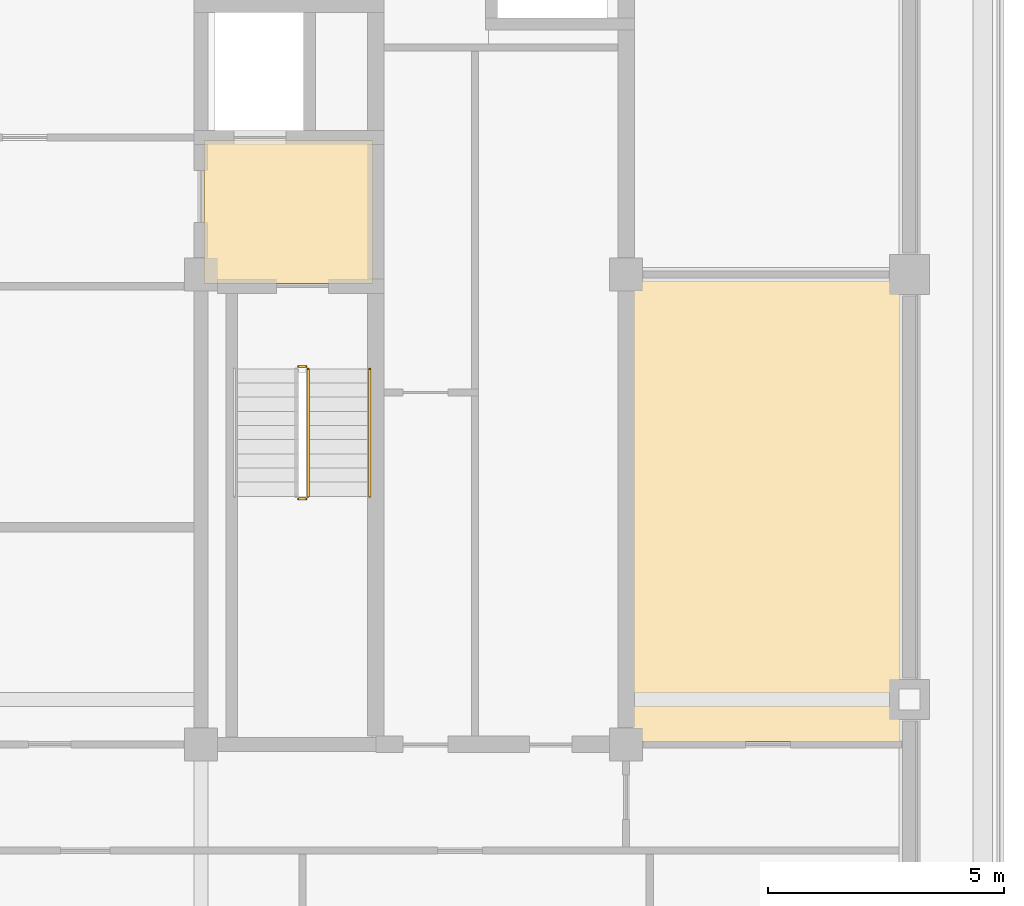
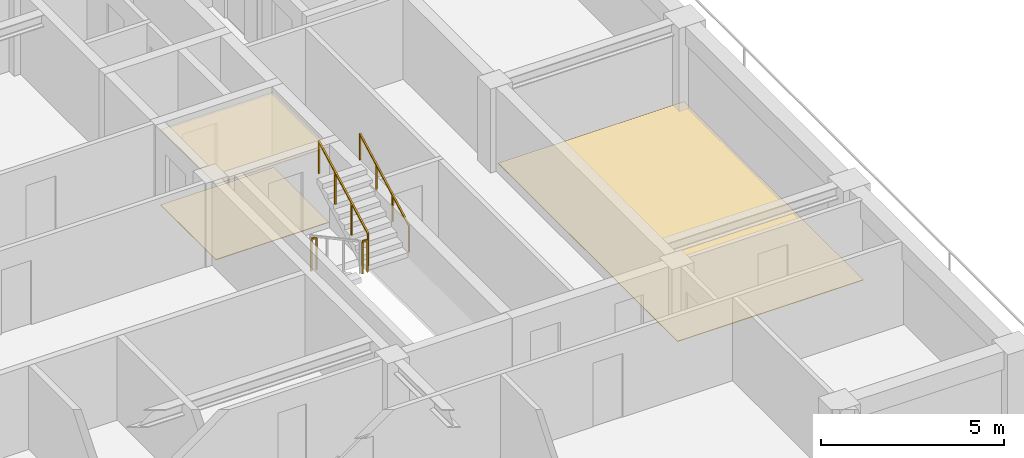
# One storey, part 9 of 10: 4 railings, 3 coverings.
"""IFC4 building model written with IfcOpenShell, lengths in metres."""

from ifc_helpers import new_model, si_unit, direction, frame, origin, origin_2d, place, context, subcontext, project, spatial, polyline, rectangle, outline, extrude, material, layer, layer_set, type_object, element, save


model = new_model("IFC4")

# Units and contexts
model_context = context("Model", 3, precision=1e-05, world=origin(), true_north=direction((0.0, 1.0)))
body_context = subcontext(model_context, "Body", "Model", "MODEL_VIEW")
ifc_project = project(units=[si_unit("LENGTHUNIT", "METRE"), si_unit("AREAUNIT", "SQUARE_METRE"), si_unit("VOLUMEUNIT", "CUBIC_METRE"), si_unit("PLANEANGLEUNIT", "RADIAN"), si_unit("MASSUNIT", "GRAM", prefix="KILO")], contexts=[model_context])

# Site, building, storey
site_placement = place(None, origin())
site = spatial("IfcSite", under=ifc_project, at=site_placement, CompositionType="ELEMENT")
building_placement = place(site_placement, origin())
building = spatial("IfcBuilding", under=site, at=building_placement, Name="Zulmaris Gate Convention Tower", CompositionType="ELEMENT")
storey_placement = place(building_placement, frame((0.0, 0.0, 246.199951171875)))
storey = spatial("IfcBuildingStorey", under=building, at=storey_placement, Name="L65", CompositionType="ELEMENT", Elevation=246.199951171875)

# Coverings
ifc_material_1 = material(Name="Mineral Fibre Acoustic Ceiling Tile")
ifc_layer_1 = layer(ifc_material_1, 0.02001953125, Name="Mineral Fibre Acoustic Ceiling Tile")
ifc_layer_set_1 = layer_set([ifc_layer_1], Name="Mineral Fibre Acoustic Ceiling Tile")
covering_type_1 = type_object("IfcCoveringType", Name="CLG-ACOUSTIC-600", PredefinedType="CEILING", material=ifc_layer_set_1)
covering_1_placement = place(storey_placement, frame((0.0, 0.0, 2.52490234375)))
element("IfcCovering", 1, at=covering_1_placement, inside=storey, type_object=covering_type_1, Name="CLG-L65-R08", PredefinedType="CEILING", context=body_context, shape_type="SweptSolid", body=[
    extrude(outline(polyline([(11.06005859375, -0.18994140625), (14.639892578125, -0.18994140625), (14.639892578125, 2.840087890625), (11.06005859375, 2.840087890625), (11.06005859375, -0.18994140625)])), origin(), (0.0, 0.0, 1.0), 0.02001953125),
])
ifc_material_2 = material(Name="Woven Acoustic Wool Carpet Tile")
ifc_layer_2 = layer(ifc_material_2, 0.02001953125, Name="Woven Acoustic Wool Carpet Tile")
ifc_layer_set_2 = layer_set([ifc_layer_2], Name="Woven Acoustic Wool Carpet Tile")
covering_type_2 = type_object("IfcCoveringType", Name="FLR-CARPET-12", PredefinedType="FLOORING", material=ifc_layer_set_2)
covering_2_placement = place(storey_placement, origin())
element("IfcCovering", 2, at=covering_2_placement, inside=storey, type_object=covering_type_2, Name="FLR-L65-R08", PredefinedType="FLOORING", context=body_context, shape_type="SweptSolid", body=[
    extrude(outline(polyline([(11.06005859375, -0.18994140625), (14.639892578125, -0.18994140625), (14.639892578125, 2.840087890625), (11.06005859375, 2.840087890625), (11.06005859375, -0.18994140625)])), origin(), (0.0, 0.0, 1.0), 0.02001953125),
])
covering_3_placement = place(storey_placement, origin())
element("IfcCovering", 3, at=covering_3_placement, inside=storey, type_object=covering_type_2, Name="FLR-L65-R55", PredefinedType="FLOORING", context=body_context, shape_type="SweptSolid", body=[
    extrude(outline(polyline([(20.06005859375, -9.889892578125), (25.93994140625, -9.889892578125), (25.93994140625, -0.06005859375), (20.06005859375, -0.06005859375), (20.06005859375, -9.889892578125)])), origin(), (0.0, 0.0, 1.0), 0.02001953125),
])

# Railings
ifc_material_3 = material(Name="Painted Galvanised Steel", Category="steel")
railing_type_1 = type_object("IfcRailingType", Name="RL-STG-1150", PredefinedType="GUARDRAIL", material=ifc_material_3)
railing_1_placement = place(storey_placement, frame((13.06005859375, -4.75, 1.614990234375)))
element("IfcRailing", 4, at=railing_1_placement, inside=storey, type_object=railing_type_1, Name="L65 ST-2 stair guard 2", PredefinedType="GUARDRAIL", context=body_context, shape_type="SweptSolid", body=[
    extrude(rectangle(XDim=0.048095703125, YDim=0.048095703125, at=origin_2d()), frame((0.0, 0.0, 1.076171875), z_axis=(1.0, 0.0, 0.0), x_axis=(0.0, 1.0, 0.0)), (0.0, 0.0, 1.0), 0.159912109375),
    extrude(rectangle(XDim=0.0419921875, YDim=0.0419921875, at=origin_2d()), origin(), (0.0, 0.0, 1.0), 1.052001953125),
    extrude(rectangle(XDim=0.0419921875, YDim=0.0419921875, at=origin_2d()), frame((0.159912109375, 0.0, 0.0)), (0.0, 0.0, 1.0), 1.052001953125),
])
railing_2_placement = place(storey_placement, frame((13.27001953125, -4.699951171875, 1.776611328125)))
element("IfcRailing", 5, at=railing_2_placement, inside=storey, type_object=railing_type_1, Name="L65 ST-2 stair guard 3", PredefinedType="GUARDRAIL", context=body_context, shape_type="SweptSolid", body=[
    extrude(rectangle(XDim=0.048095703125, YDim=0.048095703125, at=origin_2d()), frame((0.0, 0.0, 1.076171875), z_axis=(0.0, 0.880532452117, 0.47398586558), x_axis=(-1.0, 0.0, 0.0)), (0.0, 0.0, 1.0), 3.066162109375),
    extrude(rectangle(XDim=0.0419921875, YDim=0.0419921875, at=origin_2d()), origin(), (0.0, 0.0, 1.0), 1.052001953125),
    extrude(rectangle(XDim=0.0419921875, YDim=0.0419921875, at=origin_2d()), frame((0.0, 0.89990234375, 0.484375)), (0.0, 0.0, 1.0), 1.052001953125),
    extrude(rectangle(XDim=0.0419921875, YDim=0.0419921875, at=origin_2d()), frame((0.0, 1.800048828125, 0.968994140625)), (0.0, 0.0, 1.0), 1.052001953125),
    extrude(rectangle(XDim=0.0419921875, YDim=0.0419921875, at=origin_2d()), frame((0.0, 2.699951171875, 1.453369140625)), (0.0, 0.0, 1.0), 1.052001953125),
])
railing_3_placement = place(storey_placement, frame((13.06005859375, -1.949951171875, 0.0)))
element("IfcRailing", 6, at=railing_3_placement, inside=storey, type_object=railing_type_1, Name="L65 ST-2 stair guard 4", PredefinedType="GUARDRAIL", context=body_context, shape_type="SweptSolid", body=[
    extrude(rectangle(XDim=0.048095703125, YDim=0.048095703125, at=origin_2d()), frame((0.0, 0.0, 1.076171875), z_axis=(1.0, 0.0, 0.0), x_axis=(0.0, 1.0, 0.0)), (0.0, 0.0, 1.0), 0.159912109375),
    extrude(rectangle(XDim=0.0419921875, YDim=0.0419921875, at=origin_2d()), origin(), (0.0, 0.0, 1.0), 1.052001953125),
    extrude(rectangle(XDim=0.0419921875, YDim=0.0419921875, at=origin_2d()), frame((0.159912109375, 0.0, 0.0)), (0.0, 0.0, 1.0), 1.052001953125),
])
ifc_material_4 = material(Name="Brushed Stainless Steel", Category="steel")
railing_type_2 = type_object("IfcRailingType", Name="RL-STH-900", PredefinedType="HANDRAIL", material=ifc_material_4)
railing_4_placement = place(storey_placement, frame((14.570068359375, -4.699951171875, 1.776611328125)))
element("IfcRailing", 7, at=railing_4_placement, inside=storey, type_object=railing_type_2, Name="L65 ST-2 stair handrail 2", PredefinedType="HANDRAIL", context=body_context, shape_type="SweptSolid", body=[
    extrude(rectangle(XDim=0.048095703125, YDim=0.048095703125, at=origin_2d()), frame((0.0, 0.0, 0.8759765625), z_axis=(0.0, 0.880532452117, 0.47398586558), x_axis=(-1.0, 0.0, 0.0)), (0.0, 0.0, 1.0), 3.066162109375),
    extrude(rectangle(XDim=0.0419921875, YDim=0.0419921875, at=origin_2d()), origin(), (0.0, 0.0, 1.0), 0.851806640625),
    extrude(rectangle(XDim=0.0419921875, YDim=0.0419921875, at=origin_2d()), frame((0.0, 0.89990234375, 0.484375)), (0.0, 0.0, 1.0), 0.851806640625),
    extrude(rectangle(XDim=0.0419921875, YDim=0.0419921875, at=origin_2d()), frame((0.0, 1.800048828125, 0.968994140625)), (0.0, 0.0, 1.0), 0.851806640625),
    extrude(rectangle(XDim=0.0419921875, YDim=0.0419921875, at=origin_2d()), frame((0.0, 2.699951171875, 1.453369140625)), (0.0, 0.0, 1.0), 0.851806640625),
])

save(model, "model.ifc")
